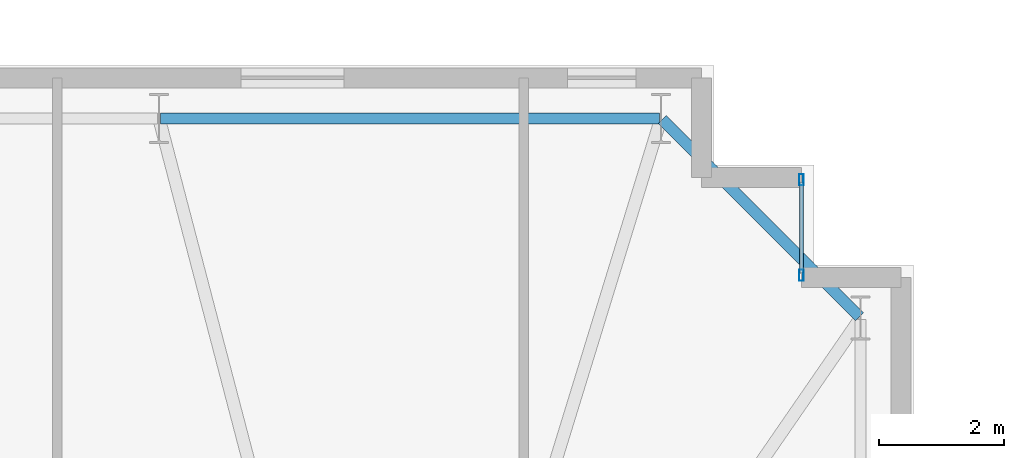
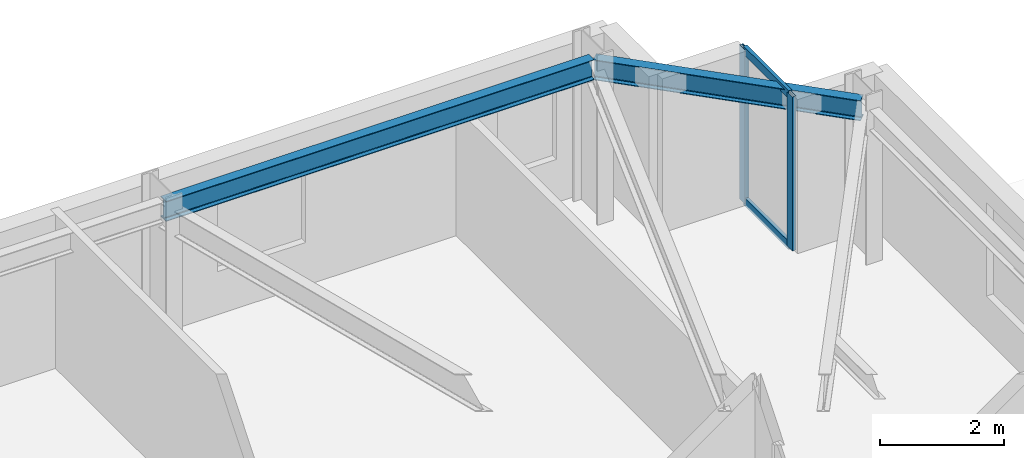
# One storey, part 9 of 17: 4 members, 2 beams, 1 element without a shape of its own.
"""IFC4 building model written with IfcOpenShell, lengths in metres."""

from ifc_helpers import new_model, si_unit, direction, frame, origin, origin_2d, place, context, subcontext, project, spatial, hollow_rectangle, i_section, extrude, material, layer, layer_set, material_profile, profile_set, type_object, element, aggregate, save


model = new_model("IFC4")

# Units and contexts
model_context = context("Model", 3, precision=1e-05, world=origin(), true_north=direction((0.0, 1.0)))
body_context = subcontext(model_context, "Body", "Model", "MODEL_VIEW")
ifc_project = project(units=[si_unit("LENGTHUNIT", "METRE"), si_unit("AREAUNIT", "SQUARE_METRE"), si_unit("VOLUMEUNIT", "CUBIC_METRE"), si_unit("PLANEANGLEUNIT", "RADIAN"), si_unit("MASSUNIT", "GRAM", prefix="KILO")], contexts=[model_context])

# Site, building, storey
site_placement = place(None, origin())
site = spatial("IfcSite", under=ifc_project, at=site_placement, CompositionType="ELEMENT")
building_placement = place(site_placement, origin())
building = spatial("IfcBuilding", under=site, at=building_placement, Name="Qobustan Lattice House", CompositionType="ELEMENT")
storey_placement = place(building_placement, frame((0.0, 0.0, 161.14990234375)))
storey = spatial("IfcBuildingStorey", under=building, at=storey_placement, Name="L45", CompositionType="ELEMENT", Elevation=161.14990234375)

# Beams
ifc_material_1 = material(Name="Steel S355", Category="steel")
ifc_material_profile_1 = material_profile(ifc_material_1, i_section(OverallWidth=0.179931640625, OverallDepth=0.39990234375, WebThickness=0.008544921875, FlangeThickness=0.013427734375, FilletRadius=0.02099609375, at=origin_2d()), Name="IPE400")
ifc_profile_set_1 = profile_set([ifc_material_profile_1], Name="Steel S355")
beam_type = type_object("IfcBeamType", Name="BM-SPD-IPE400", PredefinedType="SPANDREL", material=ifc_profile_set_1)
beam_1_placement = place(storey_placement, frame((26.332275390625, 16.567626953125, 2.840087890625), z_axis=(-0.707079505568, 0.707134055753, 0.0), x_axis=(-0.707134055753, -0.707079505568, 0.0)))
element("IfcBeam", 1, at=beam_1_placement, inside=storey, type_object=beam_type, Name="L45 perimeter spandrel E4-N1", PredefinedType="SPANDREL", context=body_context, shape_type="SweptSolid", body=[
    extrude(i_section(OverallWidth=0.179931640625, OverallDepth=0.39990234375, WebThickness=0.008544921875, FlangeThickness=0.013427734375, FilletRadius=0.02099609375, at=origin_2d()), origin(), (0.0, 0.0, 1.0), 4.4755859375),
])
beam_2_placement = place(storey_placement, frame((23.125, 19.75, 2.840087890625), z_axis=(-1.0, 0.0, 0.0), x_axis=(0.0, -1.0, 0.0)))
element("IfcBeam", 2, at=beam_2_placement, inside=storey, type_object=beam_type, Name="L45 perimeter spandrel N1-N2", PredefinedType="SPANDREL", context=body_context, shape_type="SweptSolid", body=[
    extrude(i_section(OverallWidth=0.179931640625, OverallDepth=0.39990234375, WebThickness=0.008544921875, FlangeThickness=0.013427734375, FilletRadius=0.02099609375, at=origin_2d()), origin(), (0.0, 0.0, 1.0), 8.0),
])

# Curtain wall, members
ifc_material_2 = material(Name="Anodised aluminium and low-E glazing", Category="aluminium")
ifc_layer = layer(ifc_material_2, 0.219970703125)
ifc_layer_set = layer_set([ifc_layer], Name="Anodised aluminium and low-E glazing")
curtain_wall_type = type_object("IfcCurtainWallType", Name="CW-FAC-02", PredefinedType="USERDEFINED", material=ifc_layer_set)
curtain_wall_placement = place(storey_placement, origin())
curtain_wall = element("IfcCurtainWall", 3, at=curtain_wall_placement, inside=storey, type_object=curtain_wall_type, Name="L45 serrated corner faceted glazing 13", ObjectType="CURTAIN WALL", PredefinedType="USERDEFINED")
ifc_material_3 = material(Name="Anodised aluminium EN AW-6063 T6", Category="aluminium")
ifc_material_profile_2 = material_profile(ifc_material_3, hollow_rectangle(XDim=0.070068359375, YDim=0.179931640625, WallThickness=0.00439453125, at=origin_2d()), Name="CWM-180x70")
ifc_profile_set_2 = profile_set([ifc_material_profile_2], Name="Anodised aluminium EN AW-6063 T6")
member_type_1 = type_object("IfcMemberType", Name="CWM-STD-180", PredefinedType="MULLION", material=ifc_profile_set_2)
member_1_placement = place(storey_placement, frame((25.39990234375, 18.764892578125, 0.0), z_axis=(0.0, 0.0, 1.0), x_axis=(1.0, 0.0, 0.0)))
member_1 = element("IfcMember", 4, at=member_1_placement, type_object=member_type_1, Name="CW-F2 mullion 1", PredefinedType="MULLION", context=body_context, shape_type="SweptSolid", body=[
    extrude(hollow_rectangle(XDim=0.070068359375, YDim=0.179931640625, WallThickness=0.00439453125, at=origin_2d()), origin(), (0.0, 0.0, 1.0), 3.0400390625),
])
member_2_placement = place(storey_placement, frame((25.39990234375, 17.235107421875, 0.0), z_axis=(0.0, 0.0, 1.0), x_axis=(1.0, 0.0, 0.0)))
member_2 = element("IfcMember", 5, at=member_2_placement, type_object=member_type_1, Name="CW-F2 mullion 2", PredefinedType="MULLION", context=body_context, shape_type="SweptSolid", body=[
    extrude(hollow_rectangle(XDim=0.070068359375, YDim=0.179931640625, WallThickness=0.00439453125, at=origin_2d()), origin(), (0.0, 0.0, 1.0), 3.0400390625),
])
ifc_material_4 = material(Name="Anodised aluminium EN AW-6063 T6", Category="aluminium")
ifc_material_profile_3 = material_profile(ifc_material_4, hollow_rectangle(XDim=0.06494140625, YDim=0.159912109375, WallThickness=0.00390625, at=origin_2d()), Name="CWT-160x65")
ifc_profile_set_3 = profile_set([ifc_material_profile_3], Name="Anodised aluminium EN AW-6063 T6")
member_type_2 = type_object("IfcMemberType", Name="CWT-HOR-160", PredefinedType="USERDEFINED", material=ifc_profile_set_3)
member_3_placement = place(storey_placement, frame((25.39990234375, 18.72998046875, 0.03271484375), z_axis=(0.0, -1.0, 0.0), x_axis=(1.0, 0.0, 0.0)))
member_3 = element("IfcMember", 6, at=member_3_placement, type_object=member_type_2, Name="CW-F2 transom 1.1", ObjectType="TRANSOM", PredefinedType="USERDEFINED", context=body_context, shape_type="SweptSolid", body=[
    extrude(hollow_rectangle(XDim=0.06494140625, YDim=0.159912109375, WallThickness=0.00390625, at=origin_2d()), origin(), (0.0, 0.0, 1.0), 1.4599609375),
])
member_4_placement = place(storey_placement, frame((25.39990234375, 18.72998046875, 3.007568359375), z_axis=(0.0, -1.0, 0.0), x_axis=(1.0, 0.0, 0.0)))
member_4 = element("IfcMember", 7, at=member_4_placement, type_object=member_type_2, Name="CW-F2 transom 1.2", ObjectType="TRANSOM", PredefinedType="USERDEFINED", context=body_context, shape_type="SweptSolid", body=[
    extrude(hollow_rectangle(XDim=0.06494140625, YDim=0.159912109375, WallThickness=0.00390625, at=origin_2d()), origin(), (0.0, 0.0, 1.0), 1.4599609375),
])
aggregate(curtain_wall, [member_1, member_2, member_3, member_4])

save(model, "model.ifc")
